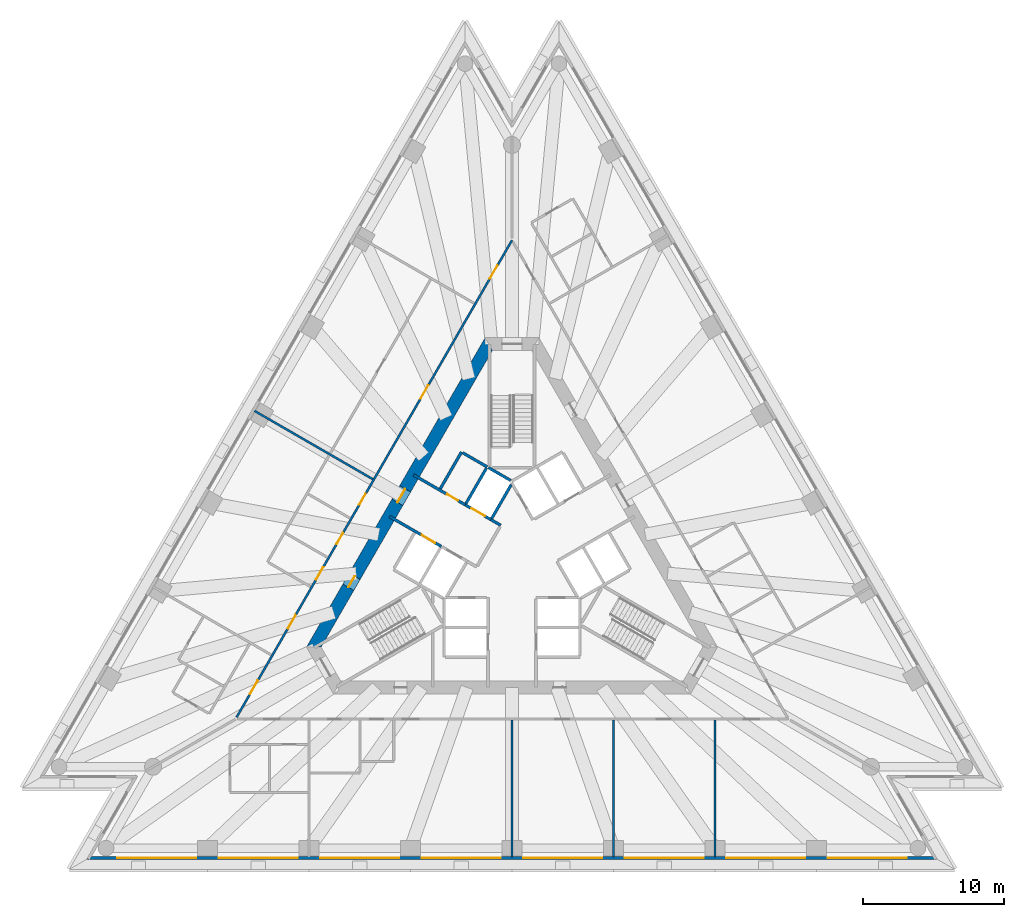
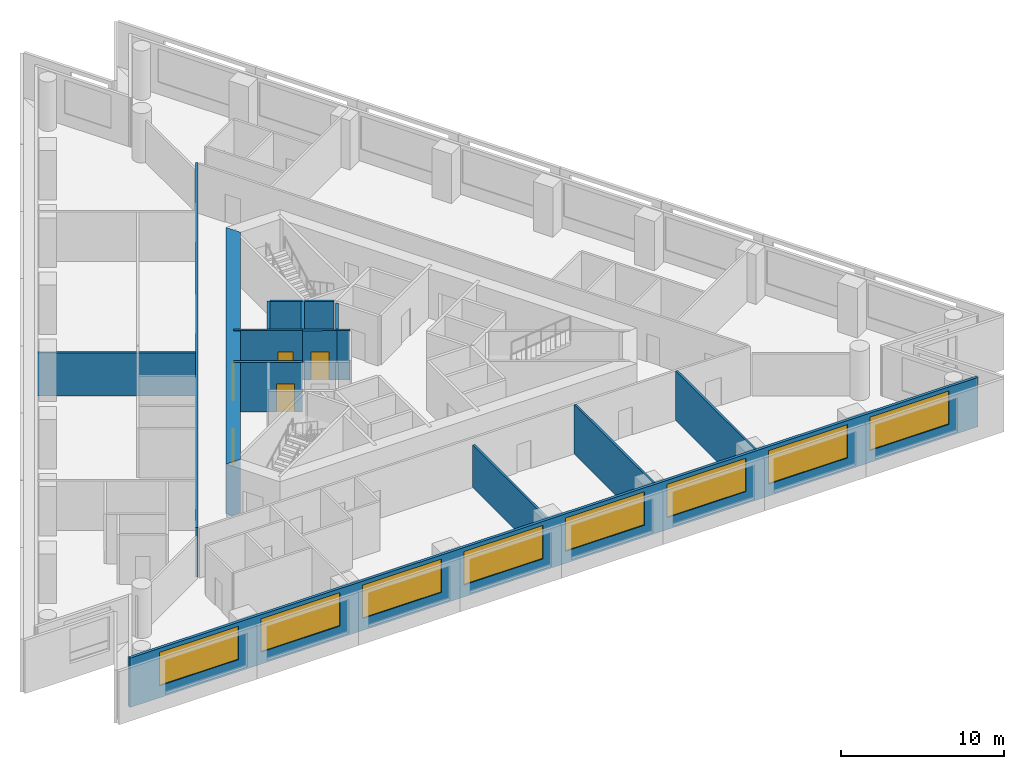
# One storey, part 4 of 11: 16 walls, 12 doors, 8 windows, 20 openings.
"""IFC4 building model written with IfcOpenShell, lengths in metres."""

from ifc_helpers import new_model, si_unit, direction, frame, frame_2d, origin, place, context, subcontext, project, spatial, polyline, rectangle, outline, extrude, material, layer, layer_set, layer_usage, type_object, element, fill, save


model = new_model("IFC4")

# Units and contexts
model_context = context("Model", 3, precision=1e-05, world=origin(), true_north=direction((0.0, 1.0)))
body_context = subcontext(model_context, "Body", "Model", "MODEL_VIEW")
ifc_project = project(units=[si_unit("LENGTHUNIT", "METRE"), si_unit("AREAUNIT", "SQUARE_METRE"), si_unit("VOLUMEUNIT", "CUBIC_METRE"), si_unit("PLANEANGLEUNIT", "RADIAN"), si_unit("MASSUNIT", "GRAM", prefix="KILO")], contexts=[model_context])

# Site, building, storey
site_placement = place(None, origin())
site = spatial("IfcSite", under=ifc_project, at=site_placement, CompositionType="ELEMENT")
building_placement = place(site_placement, origin())
building = spatial("IfcBuilding", under=site, at=building_placement, Name="Triada Interchange Tower", CompositionType="ELEMENT")
storey_placement = place(building_placement, frame((0.0, 0.0, 87.300048828125)))
storey = spatial("IfcBuildingStorey", under=building, at=storey_placement, Name="L19", CompositionType="ELEMENT", Elevation=87.300048828125)

# Wall, opening, door
ifc_material_1 = material(Name="Concrete C30/37", Category="concrete")
ifc_layer_1 = layer(ifc_material_1, 0.199951171875)
ifc_layer_set_1 = layer_set([ifc_layer_1], Name="CORE WALL 200 EI 180")
wall_type_1 = type_object("IfcWallType", Name="CORE WALL 200 EI 180", PredefinedType="SOLIDWALL", material=ifc_layer_set_1)
wall_1_placement = place(storey_placement, frame((-8.669921875, 3.04296875, 0.0), z_axis=(0.0, 0.0, 1.0), x_axis=(0.866029956157, -0.499992114976, 0.0)))
wall_1 = element("IfcWall", 1, at=wall_1_placement, inside=storey, type_object=wall_type_1, Name="Wall L18 64", PredefinedType="SOLIDWALL", context=body_context, shape_type="SweptSolid", body=[
    extrude(rectangle(XDim=4.23193359375, YDim=0.199951171875, at=frame_2d((2.115966796875, 0.0))), origin(), (0.0, 0.0, 1.0), 3.699951171875),
])
opening_1_placement = place(wall_1_placement, frame((2.6298828125, 0.0, 0.0)))
opening_1 = element("IfcOpeningElement", 2, at=opening_1_placement, cuts=wall_1, Name="Opening LD-SV1", PredefinedType="OPENING", context=body_context, shape_type="SweptSolid", body=[
    extrude(rectangle(XDim=1.10009765625, YDim=2.10009765625, at=frame_2d((0.550048828125, 1.050048828125))), frame((0.0, 0.10986328125, 0.0), z_axis=(0.0, -1.0, 0.0), x_axis=(1.0, 0.0, 0.0)), (0.0, 0.0, 1.0), 0.219970703125),
])
ifc_material_2 = material(Name="Steel S235 door leaf", Category="steel")
door_type_1 = type_object("IfcDoorType", Name="LIFT LANDING DOOR 1100 EI 120", OperationType="SLIDING_TO_LEFT", PredefinedType="DOOR", material=ifc_material_2)
door_1_placement = place(opening_1_placement, origin())
door_1 = element("IfcDoor", 3, at=door_1_placement, inside=storey, type_object=door_type_1, Name="SV1 landing door L19", OperationType="SLIDING_TO_LEFT", OverallHeight=2.10009765625, OverallWidth=1.10009765625, PredefinedType="DOOR", context=body_context, shape_type="SweptSolid", body=[
    extrude(rectangle(XDim=1.10009765625, YDim=2.10009765625, at=frame_2d((0.550048828125, 1.050048828125))), frame((0.0, 0.02490234375, 0.0), z_axis=(0.0, -1.0, 0.0), x_axis=(1.0, 0.0, 0.0)), (0.0, 0.0, 1.0), 0.050048828125),
])
fill(opening_1, door_1)

wall_2_placement = place(storey_placement, frame((-6.969970703125, 5.987060546875, 0.0), z_axis=(0.0, 0.0, 1.0), x_axis=(0.866029956157, -0.499992114976, 0.0)))
wall_2 = element("IfcWall", 4, at=wall_2_placement, inside=storey, type_object=wall_type_1, Name="Wall L18 66", PredefinedType="SOLIDWALL", context=body_context, shape_type="SweptSolid", body=[
    extrude(rectangle(XDim=4.23193359375, YDim=0.199951171875, at=frame_2d((2.115966796875, 0.0))), origin(), (0.0, 0.0, 1.0), 3.699951171875),
])
opening_2_placement = place(wall_2_placement, frame((2.72998046875, 0.0, 0.0)))
opening_2 = element("IfcOpeningElement", 5, at=opening_2_placement, cuts=wall_2, Name="Opening D18-10", PredefinedType="OPENING", context=body_context, shape_type="SweptSolid", body=[
    extrude(rectangle(XDim=0.89990234375, YDim=2.10009765625, at=frame_2d((0.449951171875, 1.050048828125))), frame((0.0, 0.10986328125, 0.0), z_axis=(0.0, -1.0, 0.0), x_axis=(1.0, 0.0, 0.0)), (0.0, 0.0, 1.0), 0.219970703125),
])
door_type_2 = type_object("IfcDoorType", Name="SERVICE DOOR 900 EI2 90-C5S200", OperationType="NOTDEFINED", PredefinedType="DOOR", material=ifc_material_2)
door_2_placement = place(opening_2_placement, origin())
door_2 = element("IfcDoor", 6, at=door_2_placement, inside=storey, type_object=door_type_2, Name="Door D18-10 L19", OperationType="SINGLE_SWING_LEFT", OverallHeight=2.10009765625, OverallWidth=0.89990234375, PredefinedType="DOOR", context=body_context, shape_type="SweptSolid", body=[
    extrude(rectangle(XDim=0.89990234375, YDim=2.10009765625, at=frame_2d((0.449951171875, 1.050048828125))), frame((0.0, 0.02490234375, 0.0), z_axis=(0.0, -1.0, 0.0), x_axis=(1.0, 0.0, 0.0)), (0.0, 0.0, 1.0), 0.050048828125),
])
fill(opening_2, door_2)

# Walls
wall_3_placement = place(storey_placement, frame((-1.488037109375, 2.822021484375, 0.0), z_axis=(0.0, 0.0, 1.0), x_axis=(0.866236612152, -0.499633997809, 0.0)))
element("IfcWall", 7, at=wall_3_placement, inside=storey, type_object=wall_type_1, Name="Wall L18 67", PredefinedType="SOLIDWALL", context=body_context, shape_type="SweptSolid", body=[
    extrude(rectangle(XDim=0.79638671875, YDim=0.199951171875, at=frame_2d((0.398193359375, 0.0))), origin(), (0.0, 0.0, 1.0), 3.699951171875),
])
wall_4_placement = place(storey_placement, frame((-5.075927734375, 5.009033203125, 0.0), z_axis=(0.0, 0.0, 1.0), x_axis=(0.50002537861, 0.866010750942, 0.0)))
element("IfcWall", 8, at=wall_4_placement, inside=storey, type_object=wall_type_1, Name="Wall L18 68", PredefinedType="SOLIDWALL", context=body_context, shape_type="SweptSolid", body=[
    extrude(rectangle(XDim=2.999755859375, YDim=0.199951171875, at=frame_2d((1.5, 0.0))), origin(), (0.0, 0.0, 1.0), 3.699951171875),
])
wall_5_placement = place(storey_placement, frame((-3.489013671875, 7.556884765625, 0.0), z_axis=(0.0, 0.0, 1.0), x_axis=(0.866010750942, -0.50002537861, 0.0)))
element("IfcWall", 9, at=wall_5_placement, inside=storey, type_object=wall_type_1, Name="Wall L18 69", PredefinedType="SOLIDWALL", context=body_context, shape_type="SweptSolid", body=[
    extrude(rectangle(XDim=2.0, YDim=0.199951171875, at=frame_2d((1.0, 0.0))), origin(), (0.0, 0.0, 1.0), 3.699951171875),
])

# Wall, opening, door
wall_6_placement = place(storey_placement, frame((-3.30908203125, 3.873046875, 0.0), z_axis=(0.0, 0.0, 1.0), x_axis=(0.866098583652, -0.499873227325, 0.0)))
wall_6 = element("IfcWall", 10, at=wall_6_placement, inside=storey, type_object=wall_type_1, Name="Shaft wall FF2 L18 75", PredefinedType="SOLIDWALL", context=body_context, shape_type="SweptSolid", body=[
    extrude(rectangle(XDim=2.1025390625, YDim=0.199951171875, at=frame_2d((1.05126953125, 0.0))), origin(), (0.0, 0.0, 1.0), 3.699951171875),
])
opening_3_placement = place(wall_6_placement, frame((0.501953125, 0.0, 0.0)))
opening_3 = element("IfcOpeningElement", 11, at=opening_3_placement, cuts=wall_6, Name="Opening LD-FF2", PredefinedType="OPENING", context=body_context, shape_type="SweptSolid", body=[
    extrude(rectangle(XDim=1.10009765625, YDim=2.10009765625, at=frame_2d((0.550048828125, 1.050048828125))), frame((0.0, 0.10986328125, 0.0), z_axis=(0.0, -1.0, 0.0), x_axis=(1.0, 0.0, 0.0)), (0.0, 0.0, 1.0), 0.219970703125),
])
door_3_placement = place(opening_3_placement, origin())
door_3 = element("IfcDoor", 12, at=door_3_placement, inside=storey, type_object=door_type_1, Name="FF2 landing door L19", OperationType="SLIDING_TO_LEFT", OverallHeight=2.10009765625, OverallWidth=1.10009765625, PredefinedType="DOOR", context=body_context, shape_type="SweptSolid", body=[
    extrude(rectangle(XDim=1.10009765625, YDim=2.10009765625, at=frame_2d((0.550048828125, 1.050048828125))), frame((0.0, 0.02490234375, 0.0), z_axis=(0.0, -1.0, 0.0), x_axis=(1.0, 0.0, 0.0)), (0.0, 0.0, 1.0), 0.050048828125),
])
fill(opening_3, door_3)

# Walls
wall_7_placement = place(storey_placement, frame((-3.257080078125, 3.958984375, 0.0), z_axis=(0.0, 0.0, 1.0), x_axis=(0.50012328804, 0.865954211699, 0.0)))
element("IfcWall", 13, at=wall_7_placement, inside=storey, type_object=wall_type_1, Name="Shaft wall FF2 L18 76", PredefinedType="SOLIDWALL", context=body_context, shape_type="SweptSolid", body=[
    extrude(rectangle(XDim=2.899658203125, YDim=0.199951171875, at=frame_2d((1.44970703125, 0.0))), origin(), (0.0, 0.0, 1.0), 3.699951171875),
])
wall_8_placement = place(storey_placement, frame((-1.669921875, 6.507080078125, 0.0), z_axis=(0.0, 0.0, 1.0), x_axis=(0.865941441609, -0.500145398563, 0.0)))
element("IfcWall", 14, at=wall_8_placement, inside=storey, type_object=wall_type_1, Name="Shaft wall FF2 L18 77", PredefinedType="SOLIDWALL", context=body_context, shape_type="SweptSolid", body=[
    extrude(rectangle(XDim=1.8154296875, YDim=0.199951171875, at=frame_2d((0.90771484375, 0.0))), origin(), (0.0, 0.0, 1.0), 3.699951171875),
])
wall_9_placement = place(storey_placement, frame((-1.43798828125, 2.908935546875, 0.0), z_axis=(0.0, 0.0, 1.0), x_axis=(0.499829630636, 0.866123744241, 0.0)))
element("IfcWall", 15, at=wall_9_placement, inside=storey, type_object=wall_type_1, Name="Shaft wall FF2 L18 78", PredefinedType="SOLIDWALL", context=body_context, shape_type="SweptSolid", body=[
    extrude(rectangle(XDim=2.7607421875, YDim=0.199951171875, at=frame_2d((1.38037109375, 0.0))), origin(), (0.0, 0.0, 1.0), 3.699951171875),
])

# Wall, openings, doors
ifc_material_3 = material(Name="Concrete C70/85", Category="concrete")
ifc_layer_2 = layer(ifc_material_3, 0.89990234375)
ifc_layer_set_2 = layer_set([ifc_layer_2], Name="Core wall A 900")
wall_type_2 = type_object("IfcWallType", Name="Core wall A 900", PredefinedType="SHEAR", material=ifc_layer_set_2)
wall_10_placement = place(storey_placement, frame((-1.64501953125, 15.25, -0.300048828125), z_axis=(0.0, 0.0, 1.0), x_axis=(-0.500026485275, -0.866010111964, 0.0)))
wall_10 = element("IfcWall", 16, at=wall_10_placement, inside=storey, type_object=wall_type_2, Name="Core wall WA02 L19", PredefinedType="SHEAR", context=body_context, shape_type="SweptSolid", body=[
    extrude(outline(polyline([(-0.260009765625, -0.449951171875), (1.685302734375, -0.449951171875), (3.63037109375, -0.44970703125), (5.57568359375, -0.44970703125), (7.52099609375, -0.44970703125), (9.466064453125, -0.449462890625), (11.411376953125, -0.449462890625), (13.356689453125, -0.449462890625), (15.302001953125, -0.449462890625), (17.2470703125, -0.44921875), (19.1923828125, -0.44921875), (21.1376953125, -0.44921875), (23.082763671875, -0.448974609375), (25.028076171875, -0.448974609375), (24.509033203125, 0.449951171875), (22.643798828125, 0.449951171875), (20.7783203125, 0.44970703125), (18.9130859375, 0.44970703125), (17.0478515625, 0.44970703125), (15.182373046875, 0.449462890625), (13.317138671875, 0.449462890625), (11.451904296875, 0.449462890625), (9.586669921875, 0.449462890625), (7.72119140625, 0.44921875), (5.85595703125, 0.44921875), (3.99072265625, 0.44921875), (2.125244140625, 0.448974609375), (0.260009765625, 0.448974609375), (-0.260009765625, -0.449951171875)])), origin(), (0.0, 0.0, 1.0), 4.0),
])
opening_4_placement = place(wall_10_placement, frame((11.833984375, 0.0, 0.300048828125)))
opening_4 = element("IfcOpeningElement", 17, at=opening_4_placement, cuts=wall_10, Name="Opening D18-42", PredefinedType="OPENING", context=body_context, shape_type="SweptSolid", body=[
    extrude(rectangle(XDim=1.10009765625, YDim=2.10009765625, at=frame_2d((0.550048828125, 1.050048828125))), frame((0.0, 0.4599609375, 0.0), z_axis=(0.0, -1.0, 0.0), x_axis=(1.0, 0.0, 0.0)), (0.0, 0.0, 1.0), 0.919921875),
])
opening_5_placement = place(wall_10_placement, frame((18.97607421875, 0.0, 0.300048828125)))
opening_5 = element("IfcOpeningElement", 18, at=opening_5_placement, cuts=wall_10, Name="Opening D18-43", PredefinedType="OPENING", context=body_context, shape_type="SweptSolid", body=[
    extrude(rectangle(XDim=0.89990234375, YDim=2.10009765625, at=frame_2d((0.449951171875, 1.050048828125))), frame((0.0, 0.4599609375, 0.0), z_axis=(0.0, -1.0, 0.0), x_axis=(1.0, 0.0, 0.0)), (0.0, 0.0, 1.0), 0.919921875),
])
door_type_3 = type_object("IfcDoorType", Name="FIRE LOBBY DOOR 1100 EI2 90-C5S200", OperationType="NOTDEFINED", PredefinedType="DOOR", material=ifc_material_2)
door_4_placement = place(opening_4_placement, origin())
door_4 = element("IfcDoor", 19, at=door_4_placement, inside=storey, type_object=door_type_3, Name="Door D18-42 L19", OperationType="SINGLE_SWING_LEFT", OverallHeight=2.10009765625, OverallWidth=1.10009765625, PredefinedType="DOOR", context=body_context, shape_type="SweptSolid", body=[
    extrude(rectangle(XDim=1.10009765625, YDim=2.10009765625, at=frame_2d((0.550048828125, 1.050048828125))), frame((0.0, 0.02490234375, 0.0), z_axis=(0.0, -1.0, 0.0), x_axis=(1.0, 0.0, 0.0)), (0.0, 0.0, 1.0), 0.050048828125),
])
fill(opening_4, door_4)
door_type_4 = type_object("IfcDoorType", Name="SERVICE DOOR 900 EI2 45-C5S200", OperationType="NOTDEFINED", PredefinedType="DOOR", material=ifc_material_2)
door_5_placement = place(opening_5_placement, origin())
door_5 = element("IfcDoor", 20, at=door_5_placement, inside=storey, type_object=door_type_4, Name="Door D18-43 L19", OperationType="SINGLE_SWING_LEFT", OverallHeight=2.10009765625, OverallWidth=0.89990234375, PredefinedType="DOOR", context=body_context, shape_type="SweptSolid", body=[
    extrude(rectangle(XDim=0.89990234375, YDim=2.10009765625, at=frame_2d((0.449951171875, 1.050048828125))), frame((0.0, 0.02490234375, 0.0), z_axis=(0.0, -1.0, 0.0), x_axis=(1.0, 0.0, 0.0)), (0.0, 0.0, 1.0), 0.050048828125),
])
fill(opening_5, door_5)

# Wall, openings, windows
ifc_material_4 = material(Name="Cement board")
ifc_layer_3 = layer(ifc_material_4, 0.02001953125, Name="Cement board cladding")
ifc_material_5 = material(Name="Sheathing board")
ifc_layer_4 = layer(ifc_material_5, 0.014892578125, Name="Sheathing board")
ifc_material_6 = material(Name="Mineral wool")
ifc_layer_5 = layer(ifc_material_6, 0.14990234375, Name="Mineral wool between steel studs")
ifc_material_7 = material(Name="Gypsum board")
ifc_layer_6 = layer(ifc_material_7, 0.014892578125, Name="Plasterboard lining")
ifc_layer_set_3 = layer_set([ifc_layer_3, ifc_layer_4, ifc_layer_5, ifc_layer_6], Name="External wall 200")
ifc_layer_usage = layer_usage(ifc_layer_set_3, "AXIS2", "POSITIVE", -0.10009765625)
wall_type_3 = type_object("IfcWallType", Name="External wall 200", PredefinedType="ELEMENTEDWALL", material=ifc_layer_set_3)
wall_11_placement = place(storey_placement, frame((-30.037109375, -21.12890625, 0.0), z_axis=(0.0, 0.0, 1.0), x_axis=(1.0, 0.0, 0.0)))
wall_11 = element("IfcWall", 21, at=wall_11_placement, inside=storey, type_object=wall_type_3, material=ifc_layer_usage, Name="External wall L19 S", PredefinedType="ELEMENTEDWALL", context=body_context, shape_type="SweptSolid", body=[
    extrude(rectangle(XDim=60.05419921875, YDim=0.199951171875, at=frame_2d((30.027099609375, 0.0))), origin(), (0.0, 0.0, 1.0), 3.699951171875),
])
opening_6_placement = place(wall_11_placement, frame((2.094970703125, 0.0, 0.89990234375)))
opening_6 = element("IfcOpeningElement", 22, at=opening_6_placement, cuts=wall_11, Name="Opening WA11", PredefinedType="OPENING", context=body_context, shape_type="SweptSolid", body=[
    extrude(rectangle(XDim=5.60009765625, YDim=2.5, at=frame_2d((2.800048828125, 1.25))), frame((0.0, 0.10986328125, 0.0), z_axis=(0.0, -1.0, 0.0), x_axis=(1.0, 0.0, 0.0)), (0.0, 0.0, 1.0), 0.219970703125),
])
opening_7_placement = place(wall_11_placement, frame((9.278076171875, 0.0, 0.89990234375)))
opening_7 = element("IfcOpeningElement", 23, at=opening_7_placement, cuts=wall_11, Name="Opening WA12", PredefinedType="OPENING", context=body_context, shape_type="SweptSolid", body=[
    extrude(rectangle(XDim=5.60009765625, YDim=2.5, at=frame_2d((2.800048828125, 1.25))), frame((0.0, 0.10986328125, 0.0), z_axis=(0.0, -1.0, 0.0), x_axis=(1.0, 0.0, 0.0)), (0.0, 0.0, 1.0), 0.219970703125),
])
opening_8_placement = place(wall_11_placement, frame((16.4619140625, 0.0, 0.89990234375)))
opening_8 = element("IfcOpeningElement", 24, at=opening_8_placement, cuts=wall_11, Name="Opening WA13", PredefinedType="OPENING", context=body_context, shape_type="SweptSolid", body=[
    extrude(rectangle(XDim=5.60009765625, YDim=2.5, at=frame_2d((2.800048828125, 1.25))), frame((0.0, 0.10986328125, 0.0), z_axis=(0.0, -1.0, 0.0), x_axis=(1.0, 0.0, 0.0)), (0.0, 0.0, 1.0), 0.219970703125),
])
opening_9_placement = place(wall_11_placement, frame((23.64501953125, 0.0, 0.89990234375)))
opening_9 = element("IfcOpeningElement", 25, at=opening_9_placement, cuts=wall_11, Name="Opening WA14", PredefinedType="OPENING", context=body_context, shape_type="SweptSolid", body=[
    extrude(rectangle(XDim=5.60009765625, YDim=2.5, at=frame_2d((2.800048828125, 1.25))), frame((0.0, 0.10986328125, 0.0), z_axis=(0.0, -1.0, 0.0), x_axis=(1.0, 0.0, 0.0)), (0.0, 0.0, 1.0), 0.219970703125),
])
opening_10_placement = place(wall_11_placement, frame((30.8291015625, 0.0, 0.89990234375)))
opening_10 = element("IfcOpeningElement", 26, at=opening_10_placement, cuts=wall_11, Name="Opening WA15", PredefinedType="OPENING", context=body_context, shape_type="SweptSolid", body=[
    extrude(rectangle(XDim=5.60009765625, YDim=2.5, at=frame_2d((2.800048828125, 1.25))), frame((0.0, 0.10986328125, 0.0), z_axis=(0.0, -1.0, 0.0), x_axis=(1.0, 0.0, 0.0)), (0.0, 0.0, 1.0), 0.219970703125),
])
opening_11_placement = place(wall_11_placement, frame((38.011962890625, 0.0, 0.89990234375)))
opening_11 = element("IfcOpeningElement", 27, at=opening_11_placement, cuts=wall_11, Name="Opening WA16", PredefinedType="OPENING", context=body_context, shape_type="SweptSolid", body=[
    extrude(rectangle(XDim=5.60009765625, YDim=2.5, at=frame_2d((2.800048828125, 1.25))), frame((0.0, 0.10986328125, 0.0), z_axis=(0.0, -1.0, 0.0), x_axis=(1.0, 0.0, 0.0)), (0.0, 0.0, 1.0), 0.219970703125),
])
opening_12_placement = place(wall_11_placement, frame((45.196044921875, 0.0, 0.89990234375)))
opening_12 = element("IfcOpeningElement", 28, at=opening_12_placement, cuts=wall_11, Name="Opening WA17", PredefinedType="OPENING", context=body_context, shape_type="SweptSolid", body=[
    extrude(rectangle(XDim=5.60009765625, YDim=2.5, at=frame_2d((2.800048828125, 1.25))), frame((0.0, 0.10986328125, 0.0), z_axis=(0.0, -1.0, 0.0), x_axis=(1.0, 0.0, 0.0)), (0.0, 0.0, 1.0), 0.219970703125),
])
opening_13_placement = place(wall_11_placement, frame((52.37890625, 0.0, 0.89990234375)))
opening_13 = element("IfcOpeningElement", 29, at=opening_13_placement, cuts=wall_11, Name="Opening WA18", PredefinedType="OPENING", context=body_context, shape_type="SweptSolid", body=[
    extrude(rectangle(XDim=5.60009765625, YDim=2.5, at=frame_2d((2.800048828125, 1.25))), frame((0.0, 0.10986328125, 0.0), z_axis=(0.0, -1.0, 0.0), x_axis=(1.0, 0.0, 0.0)), (0.0, 0.0, 1.0), 0.219970703125),
])
ifc_material_8 = material(Name="Double glazed aluminium window", Category="aluminium")
window_type = type_object("IfcWindowType", Name="Ribbon window A face", PartitioningType="SINGLE_PANEL", PredefinedType="WINDOW", material=ifc_material_8)
window_1_placement = place(opening_6_placement, origin())
window_1 = element("IfcWindow", 30, at=window_1_placement, inside=storey, type_object=window_type, Name="Window L19 S 1", OverallHeight=2.5, OverallWidth=5.60009765625, PartitioningType="SINGLE_PANEL", PredefinedType="WINDOW", context=body_context, shape_type="SweptSolid", body=[
    extrude(rectangle(XDim=5.60009765625, YDim=2.5, at=frame_2d((2.800048828125, 1.25))), frame((0.0, 0.030029296875, 0.0), z_axis=(0.0, -1.0, 0.0), x_axis=(1.0, 0.0, 0.0)), (0.0, 0.0, 1.0), 0.06005859375),
])
fill(opening_6, window_1)
window_2_placement = place(opening_7_placement, origin())
window_2 = element("IfcWindow", 31, at=window_2_placement, inside=storey, type_object=window_type, Name="Window L19 S 2", OverallHeight=2.5, OverallWidth=5.60009765625, PartitioningType="SINGLE_PANEL", PredefinedType="WINDOW", context=body_context, shape_type="SweptSolid", body=[
    extrude(rectangle(XDim=5.60009765625, YDim=2.5, at=frame_2d((2.800048828125, 1.25))), frame((0.0, 0.030029296875, 0.0), z_axis=(0.0, -1.0, 0.0), x_axis=(1.0, 0.0, 0.0)), (0.0, 0.0, 1.0), 0.06005859375),
])
fill(opening_7, window_2)
window_3_placement = place(opening_8_placement, origin())
window_3 = element("IfcWindow", 32, at=window_3_placement, inside=storey, type_object=window_type, Name="Window L19 S 3", OverallHeight=2.5, OverallWidth=5.60009765625, PartitioningType="SINGLE_PANEL", PredefinedType="WINDOW", context=body_context, shape_type="SweptSolid", body=[
    extrude(rectangle(XDim=5.60009765625, YDim=2.5, at=frame_2d((2.800048828125, 1.25))), frame((0.0, 0.030029296875, 0.0), z_axis=(0.0, -1.0, 0.0), x_axis=(1.0, 0.0, 0.0)), (0.0, 0.0, 1.0), 0.06005859375),
])
fill(opening_8, window_3)
window_4_placement = place(opening_9_placement, origin())
window_4 = element("IfcWindow", 33, at=window_4_placement, inside=storey, type_object=window_type, Name="Window L19 S 4", OverallHeight=2.5, OverallWidth=5.60009765625, PartitioningType="SINGLE_PANEL", PredefinedType="WINDOW", context=body_context, shape_type="SweptSolid", body=[
    extrude(rectangle(XDim=5.60009765625, YDim=2.5, at=frame_2d((2.800048828125, 1.25))), frame((0.0, 0.030029296875, 0.0), z_axis=(0.0, -1.0, 0.0), x_axis=(1.0, 0.0, 0.0)), (0.0, 0.0, 1.0), 0.06005859375),
])
fill(opening_9, window_4)
window_5_placement = place(opening_10_placement, origin())
window_5 = element("IfcWindow", 34, at=window_5_placement, inside=storey, type_object=window_type, Name="Window L19 S 5", OverallHeight=2.5, OverallWidth=5.60009765625, PartitioningType="SINGLE_PANEL", PredefinedType="WINDOW", context=body_context, shape_type="SweptSolid", body=[
    extrude(rectangle(XDim=5.60009765625, YDim=2.5, at=frame_2d((2.800048828125, 1.25))), frame((0.0, 0.030029296875, 0.0), z_axis=(0.0, -1.0, 0.0), x_axis=(1.0, 0.0, 0.0)), (0.0, 0.0, 1.0), 0.06005859375),
])
fill(opening_10, window_5)
window_6_placement = place(opening_11_placement, origin())
window_6 = element("IfcWindow", 35, at=window_6_placement, inside=storey, type_object=window_type, Name="Window L19 S 6", OverallHeight=2.5, OverallWidth=5.60009765625, PartitioningType="SINGLE_PANEL", PredefinedType="WINDOW", context=body_context, shape_type="SweptSolid", body=[
    extrude(rectangle(XDim=5.60009765625, YDim=2.5, at=frame_2d((2.800048828125, 1.25))), frame((0.0, 0.030029296875, 0.0), z_axis=(0.0, -1.0, 0.0), x_axis=(1.0, 0.0, 0.0)), (0.0, 0.0, 1.0), 0.06005859375),
])
fill(opening_11, window_6)
window_7_placement = place(opening_12_placement, origin())
window_7 = element("IfcWindow", 36, at=window_7_placement, inside=storey, type_object=window_type, Name="Window L19 S 7", OverallHeight=2.5, OverallWidth=5.60009765625, PartitioningType="SINGLE_PANEL", PredefinedType="WINDOW", context=body_context, shape_type="SweptSolid", body=[
    extrude(rectangle(XDim=5.60009765625, YDim=2.5, at=frame_2d((2.800048828125, 1.25))), frame((0.0, 0.030029296875, 0.0), z_axis=(0.0, -1.0, 0.0), x_axis=(1.0, 0.0, 0.0)), (0.0, 0.0, 1.0), 0.06005859375),
])
fill(opening_12, window_7)
window_8_placement = place(opening_13_placement, origin())
window_8 = element("IfcWindow", 37, at=window_8_placement, inside=storey, type_object=window_type, Name="Window L19 S 8", OverallHeight=2.5, OverallWidth=5.60009765625, PartitioningType="SINGLE_PANEL", PredefinedType="WINDOW", context=body_context, shape_type="SweptSolid", body=[
    extrude(rectangle(XDim=5.60009765625, YDim=2.5, at=frame_2d((2.800048828125, 1.25))), frame((0.0, 0.030029296875, 0.0), z_axis=(0.0, -1.0, 0.0), x_axis=(1.0, 0.0, 0.0)), (0.0, 0.0, 1.0), 0.06005859375),
])
fill(opening_13, window_8)

# Wall, openings, doors
ifc_material_9 = material(Name="Gypsum board partition")
ifc_layer_7 = layer(ifc_material_9, 0.14990234375)
ifc_layer_set_4 = layer_set([ifc_layer_7], Name="PARTITION 150 EI 180")
wall_type_4 = type_object("IfcWallType", Name="PARTITION 150 EI 180", PredefinedType="PARTITIONING", material=ifc_layer_set_4)
wall_12_placement = place(storey_placement, frame((-19.4970703125, -11.169921875, 0.0), z_axis=(0.0, 0.0, 1.0), x_axis=(0.499998854553, 0.866026065108, 0.0)))
wall_12 = element("IfcWall", 38, at=wall_12_placement, inside=storey, type_object=wall_type_4, Name="Wall L18 3", PredefinedType="PARTITIONING", context=body_context, shape_type="SweptSolid", body=[
    extrude(rectangle(XDim=38.994140625, YDim=0.14990234375, at=frame_2d((19.4970703125, 0.0))), origin(), (0.0, 0.0, 1.0), 3.699951171875),
])
opening_14_placement = place(wall_12_placement, frame((35.843994140625, 0.0, 0.0)))
opening_14 = element("IfcOpeningElement", 39, at=opening_14_placement, cuts=wall_12, Name="Opening D18-28", PredefinedType="OPENING", context=body_context, shape_type="SweptSolid", body=[
    extrude(rectangle(XDim=1.10009765625, YDim=2.10009765625, at=frame_2d((0.550048828125, 1.050048828125))), frame((0.0, 0.0849609375, 0.0), z_axis=(0.0, -1.0, 0.0), x_axis=(1.0, 0.0, 0.0)), (0.0, 0.0, 1.0), 0.169921875),
])
opening_15_placement = place(wall_12_placement, frame((26.0400390625, 0.0, 0.0)))
opening_15 = element("IfcOpeningElement", 40, at=opening_15_placement, cuts=wall_12, Name="Opening D18-29", PredefinedType="OPENING", context=body_context, shape_type="SweptSolid", body=[
    extrude(rectangle(XDim=1.10009765625, YDim=2.10009765625, at=frame_2d((0.550048828125, 1.050048828125))), frame((0.0, 0.0849609375, 0.0), z_axis=(0.0, -1.0, 0.0), x_axis=(1.0, 0.0, 0.0)), (0.0, 0.0, 1.0), 0.169921875),
])
opening_16_placement = place(wall_12_placement, frame((7.27197265625, 0.0, 0.0)))
opening_16 = element("IfcOpeningElement", 41, at=opening_16_placement, cuts=wall_12, Name="Opening D18-31", PredefinedType="OPENING", context=body_context, shape_type="SweptSolid", body=[
    extrude(rectangle(XDim=1.10009765625, YDim=2.10009765625, at=frame_2d((0.550048828125, 1.050048828125))), frame((0.0, 0.0849609375, 0.0), z_axis=(0.0, -1.0, 0.0), x_axis=(1.0, 0.0, 0.0)), (0.0, 0.0, 1.0), 0.169921875),
])
opening_17_placement = place(wall_12_placement, frame((17.3720703125, 0.0, 0.0)))
opening_17 = element("IfcOpeningElement", 42, at=opening_17_placement, cuts=wall_12, Name="Opening D18-32", PredefinedType="OPENING", context=body_context, shape_type="SweptSolid", body=[
    extrude(rectangle(XDim=0.89990234375, YDim=2.10009765625, at=frame_2d((0.449951171875, 1.050048828125))), frame((0.0, 0.0849609375, 0.0), z_axis=(0.0, -1.0, 0.0), x_axis=(1.0, 0.0, 0.0)), (0.0, 0.0, 1.0), 0.169921875),
])
opening_18_placement = place(wall_12_placement, frame((14.172119140625, 0.0, 0.0)))
opening_18 = element("IfcOpeningElement", 43, at=opening_18_placement, cuts=wall_12, Name="Opening D18-33", PredefinedType="OPENING", context=body_context, shape_type="SweptSolid", body=[
    extrude(rectangle(XDim=0.89990234375, YDim=2.10009765625, at=frame_2d((0.449951171875, 1.050048828125))), frame((0.0, 0.0849609375, 0.0), z_axis=(0.0, -1.0, 0.0), x_axis=(1.0, 0.0, 0.0)), (0.0, 0.0, 1.0), 0.169921875),
])
opening_19_placement = place(wall_12_placement, frame((11.27197265625, 0.0, 0.0)))
opening_19 = element("IfcOpeningElement", 44, at=opening_19_placement, cuts=wall_12, Name="Opening D18-34", PredefinedType="OPENING", context=body_context, shape_type="SweptSolid", body=[
    extrude(rectangle(XDim=1.0, YDim=2.10009765625, at=frame_2d((0.5, 1.050048828125))), frame((0.0, 0.0849609375, 0.0), z_axis=(0.0, -1.0, 0.0), x_axis=(1.0, 0.0, 0.0)), (0.0, 0.0, 1.0), 0.169921875),
])
opening_20_placement = place(wall_12_placement, frame((1.904052734375, 0.0, 0.0)))
opening_20 = element("IfcOpeningElement", 45, at=opening_20_placement, cuts=wall_12, Name="Opening D18-35", PredefinedType="OPENING", context=body_context, shape_type="SweptSolid", body=[
    extrude(rectangle(XDim=1.10009765625, YDim=2.10009765625, at=frame_2d((0.550048828125, 1.050048828125))), frame((0.0, 0.0849609375, 0.0), z_axis=(0.0, -1.0, 0.0), x_axis=(1.0, 0.0, 0.0)), (0.0, 0.0, 1.0), 0.169921875),
])
door_type_5 = type_object("IfcDoorType", Name="ROOM DOOR 1000 EI2 90-C5S200", OperationType="NOTDEFINED", PredefinedType="DOOR", material=ifc_material_2)
door_6_placement = place(opening_19_placement, origin())
door_6 = element("IfcDoor", 46, at=door_6_placement, inside=storey, type_object=door_type_5, Name="Door D18-34 L19", OperationType="SINGLE_SWING_RIGHT", OverallHeight=2.10009765625, OverallWidth=1.0, PredefinedType="DOOR", context=body_context, shape_type="SweptSolid", body=[
    extrude(rectangle(XDim=1.0, YDim=2.10009765625, at=frame_2d((0.5, 1.050048828125))), frame((0.0, 0.02490234375, 0.0), z_axis=(0.0, -1.0, 0.0), x_axis=(1.0, 0.0, 0.0)), (0.0, 0.0, 1.0), 0.050048828125),
])
fill(opening_19, door_6)
door_type_6 = type_object("IfcDoorType", Name="ROOM DOOR 900 EI2 90-C5S200", OperationType="NOTDEFINED", PredefinedType="DOOR", material=ifc_material_2)
door_7_placement = place(opening_17_placement, origin())
door_7 = element("IfcDoor", 47, at=door_7_placement, inside=storey, type_object=door_type_6, Name="Door D18-32 L19", OperationType="SINGLE_SWING_LEFT", OverallHeight=2.10009765625, OverallWidth=0.89990234375, PredefinedType="DOOR", context=body_context, shape_type="SweptSolid", body=[
    extrude(rectangle(XDim=0.89990234375, YDim=2.10009765625, at=frame_2d((0.449951171875, 1.050048828125))), frame((0.0, 0.02490234375, 0.0), z_axis=(0.0, -1.0, 0.0), x_axis=(1.0, 0.0, 0.0)), (0.0, 0.0, 1.0), 0.050048828125),
])
fill(opening_17, door_7)
door_8_placement = place(opening_18_placement, origin())
door_8 = element("IfcDoor", 48, at=door_8_placement, inside=storey, type_object=door_type_6, Name="Door D18-33 L19", OperationType="SINGLE_SWING_RIGHT", OverallHeight=2.10009765625, OverallWidth=0.89990234375, PredefinedType="DOOR", context=body_context, shape_type="SweptSolid", body=[
    extrude(rectangle(XDim=0.89990234375, YDim=2.10009765625, at=frame_2d((0.449951171875, 1.050048828125))), frame((0.0, 0.02490234375, 0.0), z_axis=(0.0, -1.0, 0.0), x_axis=(1.0, 0.0, 0.0)), (0.0, 0.0, 1.0), 0.050048828125),
])
fill(opening_18, door_8)
door_type_7 = type_object("IfcDoorType", Name="TENANCY ENTRANCE DOOR 1100 EI2 90-C5S200", OperationType="NOTDEFINED", PredefinedType="DOOR", material=ifc_material_2)
door_9_placement = place(opening_14_placement, origin())
door_9 = element("IfcDoor", 49, at=door_9_placement, inside=storey, type_object=door_type_7, Name="Door D18-28 L19", OperationType="SINGLE_SWING_RIGHT", OverallHeight=2.10009765625, OverallWidth=1.10009765625, PredefinedType="DOOR", context=body_context, shape_type="SweptSolid", body=[
    extrude(rectangle(XDim=1.10009765625, YDim=2.10009765625, at=frame_2d((0.550048828125, 1.050048828125))), frame((0.0, 0.02490234375, 0.0), z_axis=(0.0, -1.0, 0.0), x_axis=(1.0, 0.0, 0.0)), (0.0, 0.0, 1.0), 0.050048828125),
])
fill(opening_14, door_9)
door_10_placement = place(opening_15_placement, origin())
door_10 = element("IfcDoor", 50, at=door_10_placement, inside=storey, type_object=door_type_7, Name="Door D18-29 L19", OperationType="SINGLE_SWING_RIGHT", OverallHeight=2.10009765625, OverallWidth=1.10009765625, PredefinedType="DOOR", context=body_context, shape_type="SweptSolid", body=[
    extrude(rectangle(XDim=1.10009765625, YDim=2.10009765625, at=frame_2d((0.550048828125, 1.050048828125))), frame((0.0, 0.02490234375, 0.0), z_axis=(0.0, -1.0, 0.0), x_axis=(1.0, 0.0, 0.0)), (0.0, 0.0, 1.0), 0.050048828125),
])
fill(opening_15, door_10)
door_11_placement = place(opening_16_placement, origin())
door_11 = element("IfcDoor", 51, at=door_11_placement, inside=storey, type_object=door_type_7, Name="Door D18-31 L19", OperationType="SINGLE_SWING_RIGHT", OverallHeight=2.10009765625, OverallWidth=1.10009765625, PredefinedType="DOOR", context=body_context, shape_type="SweptSolid", body=[
    extrude(rectangle(XDim=1.10009765625, YDim=2.10009765625, at=frame_2d((0.550048828125, 1.050048828125))), frame((0.0, 0.02490234375, 0.0), z_axis=(0.0, -1.0, 0.0), x_axis=(1.0, 0.0, 0.0)), (0.0, 0.0, 1.0), 0.050048828125),
])
fill(opening_16, door_11)
door_12_placement = place(opening_20_placement, origin())
door_12 = element("IfcDoor", 52, at=door_12_placement, inside=storey, type_object=door_type_7, Name="Door D18-35 L19", OperationType="SINGLE_SWING_LEFT", OverallHeight=2.10009765625, OverallWidth=1.10009765625, PredefinedType="DOOR", context=body_context, shape_type="SweptSolid", body=[
    extrude(rectangle(XDim=1.10009765625, YDim=2.10009765625, at=frame_2d((0.550048828125, 1.050048828125))), frame((0.0, 0.02490234375, 0.0), z_axis=(0.0, -1.0, 0.0), x_axis=(1.0, 0.0, 0.0)), (0.0, 0.0, 1.0), 0.050048828125),
])
fill(opening_20, door_12)

# Walls
for number, where, z_axis, x_axis, name in (
    (53, (-18.22900390625, 10.52392578125, 0.0), (0.0, 0.0, 1.0), (0.866029248602, -0.499993340521, 0.0), "Wall L18 5"),
    (54, (0.0, -21.049072265625, 0.0), (0.0, 0.0, 1.0), (0.0, 1.0, 0.0), "Wall L18 17"),
):
    element("IfcWall", number, at=place(storey_placement, frame(where, z_axis=z_axis, x_axis=x_axis)), inside=storey, type_object=wall_type_4, Name=name, PredefinedType="PARTITIONING", context=body_context, shape_type="SweptSolid", body=[
        extrude(rectangle(XDim=9.674072265625, YDim=0.14990234375, at=frame_2d((4.8369140625, 0.0))), origin(), (0.0, 0.0, 1.0), 3.199951171875),
    ])
for number, where, z_axis, x_axis, name in (
    (55, (7.18408203125, -21.049072265625, 0.0), (0.0, 0.0, 1.0), (0.0, 1.0, 0.0), "Wall L18 21"),
    (56, (14.366943359375, -21.049072265625, 0.0), (0.0, 0.0, 1.0), (0.0, 1.0, 0.0), "Wall L18 25"),
):
    element("IfcWall", number, at=place(storey_placement, frame(where, z_axis=z_axis, x_axis=x_axis)), inside=storey, type_object=wall_type_4, Name=name, PredefinedType="PARTITIONING", context=body_context, shape_type="SweptSolid", body=[
        extrude(rectangle(XDim=9.674072265625, YDim=0.14990234375, at=frame_2d((4.8369140625, 0.0))), origin(), (0.0, 0.0, 1.0), 3.699951171875),
    ])

save(model, "model.ifc")
